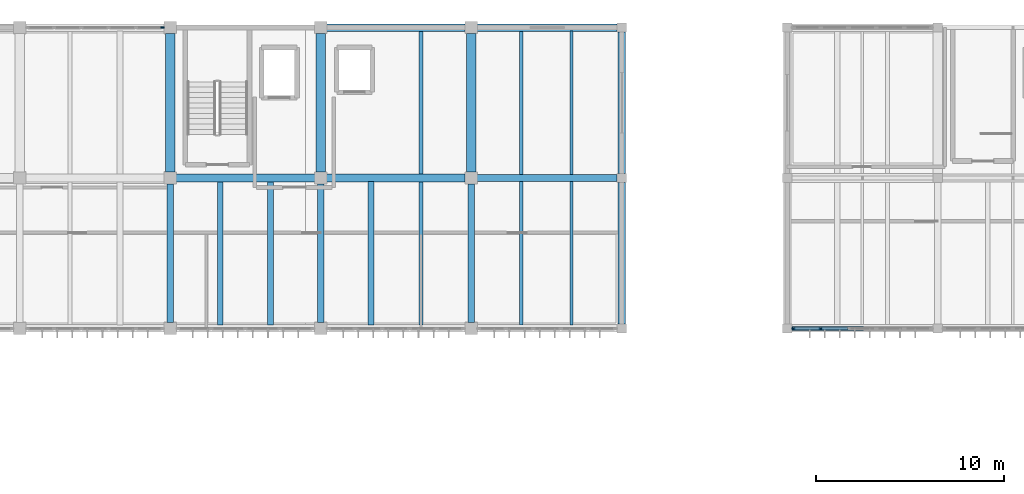
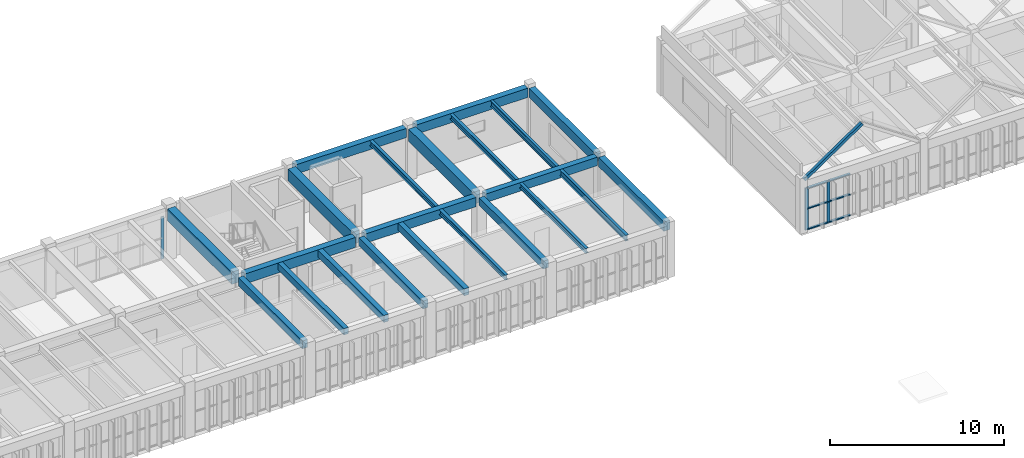
# One storey, part 9 of 31: 22 beams, 10 members, 2 elements without a shape of their own.
"""IFC4 building model written with IfcOpenShell, lengths in metres."""

import ifcopenshell
import ifcopenshell.guid

model = None  # the IFC model being written
_history = None  # IfcOwnerHistory: only IFC2X3 demands one
_inside = {}  # id of a spatial element -> (the spatial element, [elements in it])
_under = {}  # id of a project, library or spatial element -> (it, [spatial elements below it])
_declared = {}  # id of a project -> (the project, [libraries it declares])
_typed = {}  # id of a type object -> (the type object, [elements of that type])
_made_of = {}  # id of a material, layer set ... -> (it, [elements and type objects made of it])


def new_model(schema):
    """Start an empty IFC model of exactly this schema.

    Asked for "IFC4X3", IfcOpenShell would pick the latest addendum, in which some entities
    have other attributes; the version numbers below select the first issue.
    IFC2X3 requires an IfcOwnerHistory on every rooted entity: one is made here for all.
    """
    global model, _history
    if schema == "IFC4X3":
        model = ifcopenshell.file(schema_version=(4, 3, 0, 0))
    else:
        model = ifcopenshell.file(schema=schema)
    _inside.clear()
    _under.clear()
    _declared.clear()
    _typed.clear()
    _made_of.clear()
    _history = None
    if model.schema == "IFC2X3":
        org = make("IfcOrganization", Name="unknown")
        user = make(
            "IfcPersonAndOrganization",
            ThePerson=make("IfcPerson", FamilyName="unknown"),
            TheOrganization=org,
        )
        app = make(
            "IfcApplication",
            ApplicationDeveloper=org,
            Version="unknown",
            ApplicationFullName="unknown",
            ApplicationIdentifier="unknown",
        )
        _history = make(
            "IfcOwnerHistory",
            OwningUser=user,
            OwningApplication=app,
            ChangeAction="ADDED",
            CreationDate=0,
        )
    return model


def make(cls, **values):
    """One entity of the class cls with the attributes given. An attribute that is None is left unset."""
    return model.create_entity(
        cls, **{name: value for name, value in values.items() if value is not None}
    )


def rooted(cls, **values):
    """An entity with a GlobalId (a new one), such as an element, a storey or a relation."""
    return make(cls, GlobalId=ifcopenshell.guid.new(), OwnerHistory=_history, **values)


def si_unit(unit_type, name, prefix=None):
    """IfcSIUnit, for example si_unit("LENGTHUNIT", "METRE", prefix="MILLI")."""
    return make("IfcSIUnit", UnitType=unit_type, Prefix=prefix, Name=name)


def assignment(units):
    """IfcUnitAssignment: the units of a project."""
    return None if units is None else make("IfcUnitAssignment", Units=units)


def point(xyz):
    """IfcCartesianPoint."""
    return None if xyz is None else make("IfcCartesianPoint", Coordinates=xyz)


def direction(xyz):
    """IfcDirection."""
    return None if xyz is None else make("IfcDirection", DirectionRatios=xyz)


def frame(location, z_axis=None, x_axis=None):
    """IfcAxis2Placement3D, a coordinate frame: its origin and axes. An axis left out is left unset."""
    return make(
        "IfcAxis2Placement3D",
        Location=point(location),
        Axis=direction(z_axis),
        RefDirection=direction(x_axis),
    )


def frame_2d(location, x_axis=None):
    """IfcAxis2Placement2D, a coordinate frame in the plane: its origin and x axis."""
    return make(
        "IfcAxis2Placement2D", Location=point(location), RefDirection=direction(x_axis)
    )


def origin():
    """The frame at (0, 0, 0) with its axes left unset."""
    return frame((0.0, 0.0, 0.0))


def origin_2d():
    """The frame at (0, 0) in the plane with its x axis left unset."""
    return frame_2d((0.0, 0.0))


def place(relative_to, where):
    """IfcLocalPlacement: puts the frame where relative to a parent placement (None: the world)."""
    return make(
        "IfcLocalPlacement", PlacementRelTo=relative_to, RelativePlacement=where
    )


def context(
    kind, dimensions, precision=None, world=None, true_north=None, identifier=None
):
    """IfcGeometricRepresentationContext, for example the 3D "Model" context."""
    return make(
        "IfcGeometricRepresentationContext",
        ContextIdentifier=identifier,
        ContextType=kind,
        CoordinateSpaceDimension=dimensions,
        Precision=precision,
        WorldCoordinateSystem=world,
        TrueNorth=true_north,
    )


def subcontext(parent, identifier, kind, view, scale=None):
    """IfcGeometricRepresentationSubContext, for example "Body" below "Model"."""
    return make(
        "IfcGeometricRepresentationSubContext",
        ContextIdentifier=identifier,
        ContextType=kind,
        ParentContext=parent,
        TargetScale=scale,
        TargetView=view,
    )


def project(units=None, contexts=None):
    """IfcProject with its units and contexts."""
    return rooted(
        "IfcProject",
        Name="project",
        RepresentationContexts=contexts,
        UnitsInContext=assignment(units),
    )


def spatial(cls, under=None, at=None, **own):
    """A site, building, storey or space (cls), placed at a placement, below another one or the project."""
    s = rooted(cls, ObjectPlacement=at, **own)
    if under is not None:
        _under.setdefault(under.id(), (under, []))[1].append(s)
    return s


def profile(cls, at=None, kind="AREA", **sizes):
    """A parametric profile (cls). Its sizes go by their IFC names, for example OverallWidth=200.0."""
    return make(cls, ProfileType=kind, Position=at, **sizes)


def rectangle(**sizes):
    """IfcRectangleProfileDef."""
    return profile("IfcRectangleProfileDef", **sizes)


def hollow_rectangle(**sizes):
    """IfcRectangleHollowProfileDef."""
    return profile("IfcRectangleHollowProfileDef", **sizes)


def i_section(**sizes):
    """IfcIShapeProfileDef."""
    return profile("IfcIShapeProfileDef", **sizes)


def extrude(swept, where, along, depth):
    """IfcExtrudedAreaSolid: the profile swept, set in the frame where, extruded along a direction by depth."""
    return make(
        "IfcExtrudedAreaSolid",
        SweptArea=swept,
        Position=where,
        ExtrudedDirection=direction(along),
        Depth=depth,
    )


def shape(context_of_items, identifier, shape_type, items):
    """IfcShapeRepresentation: the items that make up one representation, for example the "Body"."""
    return make(
        "IfcShapeRepresentation",
        ContextOfItems=context_of_items,
        RepresentationIdentifier=identifier,
        RepresentationType=shape_type,
        Items=items,
    )


def material(Name=None, Category=None):
    """IfcMaterial."""
    return make("IfcMaterial", Name=Name, Category=Category)


def material_profile(
    of_material, cross_section, Name=None, Category=None, Priority=None
):
    """IfcMaterialProfile: a cross section and its material."""
    return make(
        "IfcMaterialProfile",
        Name=Name,
        Material=of_material,
        Profile=cross_section,
        Priority=Priority,
        Category=Category,
    )


def profile_set(profiles, Name=None, composite=None):
    """IfcMaterialProfileSet."""
    return make(
        "IfcMaterialProfileSet",
        Name=Name,
        MaterialProfiles=profiles,
        CompositeProfile=composite,
    )


def made_of(thing, what):
    """Note that an element or type object is made of a material, layer set ...; save() writes the relation."""
    if what is not None:
        _made_of.setdefault(what.id(), (what, []))[1].append(thing)
    return thing


def type_object(cls, material=None, **own):
    """A type object (cls), such as IfcWallType, which elements share."""
    return made_of(rooted(cls, **own), material)


def element(
    cls,
    number,
    at=None,
    inside=None,
    cuts=None,
    type_object=None,
    material=None,
    context=None,
    identifier="Body",
    shape_type=None,
    held_by="IfcProductDefinitionShape",
    body=None,
    shapes=None,
    **own,
):
    """One element of the class cls, such as IfcWall. Its Tag is "e" and its number.

    at: its placement. inside: the storey or other place that contains it. cuts: it is an
    opening in that element (IfcRelVoidsElement). A single representation is given by context,
    identifier, shape_type and body (its items); several are given by shapes. held_by: the class
    of the entity that holds the representations. save() writes the other relations.
    """
    e = rooted(cls, Tag="e%d" % number, ObjectPlacement=at, **own)
    if body is not None:
        shapes = [shape(context, identifier, shape_type, body)]
    if shapes is not None:
        e.Representation = make(held_by, Representations=shapes)
    if inside is not None:
        _inside.setdefault(inside.id(), (inside, []))[1].append(e)
    if cuts is not None:
        rooted(
            "IfcRelVoidsElement", RelatingBuildingElement=cuts, RelatedOpeningElement=e
        )
    if type_object is not None:
        _typed.setdefault(type_object.id(), (type_object, []))[1].append(e)
    return made_of(e, material)


def aggregate(whole, parts):
    """IfcRelAggregates: a whole, such as a stair, and the parts it consists of."""
    return rooted("IfcRelAggregates", RelatingObject=whole, RelatedObjects=parts)


def save(model, path):
    """Write the relations noted so far, then the file.

    IfcRelAggregates (storeys below a building ...), IfcRelContainedInSpatialStructure (elements
    in a storey), IfcRelDefinesByType, IfcRelAssociatesMaterial and IfcRelDeclares: one each for
    every whole, place, type object, material and project.
    """
    for whole, parts in _under.values():
        aggregate(whole, parts)
    for where, things in _inside.values():
        rooted(
            "IfcRelContainedInSpatialStructure",
            RelatedElements=things,
            RelatingStructure=where,
        )
    for kind, things in _typed.values():
        rooted("IfcRelDefinesByType", RelatedObjects=things, RelatingType=kind)
    for what, things in _made_of.values():
        rooted("IfcRelAssociatesMaterial", RelatedObjects=things, RelatingMaterial=what)
    for by, libraries in _declared.values():
        rooted("IfcRelDeclares", RelatingContext=by, RelatedDefinitions=libraries)
    model.write(path)


model = new_model("IFC4")

# Units and contexts
model_context = context("Model", 3, precision=1e-05, world=origin(), true_north=direction((0.0, 1.0)))
body_context = subcontext(model_context, "Body", "Model", "MODEL_VIEW")
ifc_project = project(units=[si_unit("LENGTHUNIT", "METRE"), si_unit("AREAUNIT", "SQUARE_METRE"), si_unit("VOLUMEUNIT", "CUBIC_METRE"), si_unit("PLANEANGLEUNIT", "RADIAN"), si_unit("MASSUNIT", "GRAM", prefix="KILO")], contexts=[model_context])

# Site, building, storey
site_placement = place(None, origin())
site = spatial("IfcSite", under=ifc_project, at=site_placement, CompositionType="ELEMENT")
building_placement = place(site_placement, origin())
building = spatial("IfcBuilding", under=site, at=building_placement, Name="Tlaxcora Railside Police Headquarters", CompositionType="ELEMENT")
storey_placement = place(building_placement, frame((0.0, 0.0, 18.0)))
storey = spatial("IfcBuildingStorey", under=building, at=storey_placement, Name="L04", CompositionType="ELEMENT", Elevation=18.0)

# Curtain wall, member
ifc_material_1 = material(Name="Thermally broken low-E insulated glazing", Category="glass")
curtain_wall_type = type_object("IfcCurtainWallType", Name="Unitised Curtain Wall Assembly CW-15", PredefinedType="NOTDEFINED", material=ifc_material_1)
curtain_wall_1_placement = place(storey_placement, origin())
curtain_wall_1 = element("IfcCurtainWall", 1, at=curtain_wall_1_placement, inside=storey, type_object=curtain_wall_type, Name="V5 L04 curtain wall 98", PredefinedType="NOTDEFINED")
ifc_material_2 = material(Name="Anodised aluminium framing", Category="aluminium")
ifc_material_profile_1 = material_profile(ifc_material_2, rectangle(XDim=0.074951171875, YDim=0.199951171875, at=origin_2d()), Name="AL75X200")
ifc_profile_set_1 = profile_set([ifc_material_profile_1], Name="Anodised aluminium framing")
member_type_1 = type_object("IfcMemberType", Name="Curtain Wall Mullion CW-58", PredefinedType="MULLION", material=ifc_profile_set_1)
member_1_placement = place(storey_placement, frame((69.58740234375, 92.800048828125, 0.0), z_axis=(0.0, 0.0, 1.0), x_axis=(0.0, -1.0, 0.0)))
member_1 = element("IfcMember", 2, at=member_1_placement, type_object=member_type_1, Name="CW mullion 1", PredefinedType="MULLION", context=body_context, shape_type="SweptSolid", body=[
    extrude(rectangle(XDim=0.074951171875, YDim=0.199951171875, at=origin_2d()), origin(), (0.0, 0.0, 1.0), 2.969970703125),
])
aggregate(curtain_wall_1, [member_1])

# Curtain wall, members
curtain_wall_2_placement = place(storey_placement, origin())
curtain_wall_2 = element("IfcCurtainWall", 3, at=curtain_wall_2_placement, inside=storey, type_object=curtain_wall_type, Name="V6 L04 curtain wall 170", PredefinedType="NOTDEFINED")
member_2_placement = place(storey_placement, frame((103.137451171875, 76.800048828125, 0.0), z_axis=(0.0, 0.0, 1.0), x_axis=(0.0, 1.0, 0.0)))
member_2 = element("IfcMember", 4, at=member_2_placement, type_object=member_type_1, Name="CW mullion 1", PredefinedType="MULLION", context=body_context, shape_type="SweptSolid", body=[
    extrude(rectangle(XDim=0.074951171875, YDim=0.199951171875, at=origin_2d()), origin(), (0.0, 0.0, 1.0), 2.9599609375),
])
member_3_placement = place(storey_placement, frame((104.580078125, 76.800048828125, 0.0), z_axis=(0.0, 0.0, 1.0), x_axis=(0.0, 1.0, 0.0)))
member_3 = element("IfcMember", 5, at=member_3_placement, type_object=member_type_1, Name="CW mullion 2", PredefinedType="MULLION", context=body_context, shape_type="SweptSolid", body=[
    extrude(rectangle(XDim=0.074951171875, YDim=0.199951171875, at=origin_2d()), origin(), (0.0, 0.0, 1.0), 2.9599609375),
])
ifc_material_profile_2 = material_profile(ifc_material_2, rectangle(XDim=0.14990234375, YDim=0.074951171875, at=origin_2d()), Name="AL75X150")
ifc_profile_set_2 = profile_set([ifc_material_profile_2], Name="Anodised aluminium framing")
member_type_2 = type_object("IfcMemberType", Name="Curtain Wall Transom CW-28", PredefinedType="USERDEFINED", material=ifc_profile_set_2)
member_4_placement = place(storey_placement, frame((103.175048828125, 76.800048828125, 0.03759765625), z_axis=(1.0, 0.0, 0.0), x_axis=(0.0, 1.0, 0.0)))
member_4 = element("IfcMember", 6, at=member_4_placement, type_object=member_type_2, Name="CW transom 1.1", ObjectType="TRANSOM", PredefinedType="USERDEFINED", context=body_context, shape_type="SweptSolid", body=[
    extrude(rectangle(XDim=0.14990234375, YDim=0.074951171875, at=origin_2d()), origin(), (0.0, 0.0, 1.0), 1.367431640625),
])
member_5_placement = place(storey_placement, frame((103.175048828125, 76.800048828125, 1.489990234375), z_axis=(1.0, 0.0, 0.0), x_axis=(0.0, 1.0, 0.0)))
member_5 = element("IfcMember", 7, at=member_5_placement, type_object=member_type_2, Name="CW transom 1.2", ObjectType="TRANSOM", PredefinedType="USERDEFINED", context=body_context, shape_type="SweptSolid", body=[
    extrude(rectangle(XDim=0.14990234375, YDim=0.074951171875, at=origin_2d()), origin(), (0.0, 0.0, 1.0), 1.367431640625),
])
member_6_placement = place(storey_placement, frame((103.175048828125, 76.800048828125, 2.922607421875), z_axis=(1.0, 0.0, 0.0), x_axis=(0.0, 1.0, 0.0)))
member_6 = element("IfcMember", 8, at=member_6_placement, type_object=member_type_2, Name="CW transom 1.3", ObjectType="TRANSOM", PredefinedType="USERDEFINED", context=body_context, shape_type="SweptSolid", body=[
    extrude(rectangle(XDim=0.14990234375, YDim=0.074951171875, at=origin_2d()), origin(), (0.0, 0.0, 1.0), 1.367431640625),
])
member_7_placement = place(storey_placement, frame((104.617431640625, 76.800048828125, 0.03759765625), z_axis=(1.0, 0.0, 0.0), x_axis=(0.0, 1.0, 0.0)))
member_7 = element("IfcMember", 9, at=member_7_placement, type_object=member_type_2, Name="CW transom 2.1", ObjectType="TRANSOM", PredefinedType="USERDEFINED", context=body_context, shape_type="SweptSolid", body=[
    extrude(rectangle(XDim=0.14990234375, YDim=0.074951171875, at=origin_2d()), origin(), (0.0, 0.0, 1.0), 1.405029296875),
])
member_8_placement = place(storey_placement, frame((104.617431640625, 76.800048828125, 1.489990234375), z_axis=(1.0, 0.0, 0.0), x_axis=(0.0, 1.0, 0.0)))
member_8 = element("IfcMember", 10, at=member_8_placement, type_object=member_type_2, Name="CW transom 2.2", ObjectType="TRANSOM", PredefinedType="USERDEFINED", context=body_context, shape_type="SweptSolid", body=[
    extrude(rectangle(XDim=0.14990234375, YDim=0.074951171875, at=origin_2d()), origin(), (0.0, 0.0, 1.0), 1.405029296875),
])
member_9_placement = place(storey_placement, frame((104.617431640625, 76.800048828125, 2.922607421875), z_axis=(1.0, 0.0, 0.0), x_axis=(0.0, 1.0, 0.0)))
member_9 = element("IfcMember", 11, at=member_9_placement, type_object=member_type_2, Name="CW transom 2.3", ObjectType="TRANSOM", PredefinedType="USERDEFINED", context=body_context, shape_type="SweptSolid", body=[
    extrude(rectangle(XDim=0.14990234375, YDim=0.074951171875, at=origin_2d()), origin(), (0.0, 0.0, 1.0), 1.405029296875),
])
aggregate(curtain_wall_2, [member_2, member_3, member_4, member_5, member_6, member_7, member_8, member_9])

# Member
ifc_material_3 = material(Name="Steel ASTM A992 Grade 50", Category="steel")
ifc_material_profile_3 = material_profile(ifc_material_3, hollow_rectangle(XDim=0.199951171875, YDim=0.199951171875, WallThickness=0.010009765625, at=origin_2d()), Name="HSS200X200X10")
ifc_profile_set_3 = profile_set([ifc_material_profile_3], Name="Steel ASTM A992 Grade 50")
member_type_3 = type_object("IfcMemberType", Name="Diagonal Brace Member MB-51", PredefinedType="BRACE", material=ifc_profile_set_3)
member_10_placement = place(storey_placement, frame((102.949951171875, 76.800048828125, 3.580078125), z_axis=(0.826746068504, 0.0, 0.562575273375), x_axis=(0.0, 1.0, 0.0)))
element("IfcMember", 12, at=member_10_placement, inside=storey, type_object=member_type_3, Name="V6 rafter 1W", PredefinedType="BRACE", context=body_context, shape_type="SweptSolid", body=[
    extrude(hollow_rectangle(XDim=0.199951171875, YDim=0.199951171875, WallThickness=0.010009765625, at=origin_2d()), origin(), (0.0, 0.0, 1.0), 4.656982421875),
])

# Beams
ifc_material_4 = material(Name="Concrete C40/50", Category="concrete")
ifc_material_profile_4 = material_profile(ifc_material_4, rectangle(XDim=0.39990234375, YDim=0.64990234375, at=origin_2d()), Name="RC400X650")
ifc_profile_set_4 = profile_set([ifc_material_profile_4], Name="Concrete C40/50")
beam_type_1 = type_object("IfcBeamType", Name="Perimeter Spandrel Beam BM-46", PredefinedType="SPANDREL", material=ifc_profile_set_4)
beam_1_placement = place(storey_placement, frame((78.31494140625, 92.800048828125, 3.31494140625), z_axis=(1.0, 0.0, 0.0), x_axis=(0.0, 1.0, 0.0)))
element("IfcBeam", 13, at=beam_1_placement, inside=storey, type_object=beam_type_1, Name="V5 L04 X-girder Y=92.8", PredefinedType="SPANDREL", context=body_context, shape_type="SweptSolid", body=[
    extrude(rectangle(XDim=0.39990234375, YDim=0.64990234375, at=origin_2d()), origin(), (0.0, 0.0, 1.0), 7.3701171875),
])
beam_2_placement = place(storey_placement, frame((86.31494140625, 92.800048828125, 3.31494140625), z_axis=(1.0, 0.0, 0.0), x_axis=(0.0, 1.0, 0.0)))
element("IfcBeam", 14, at=beam_2_placement, inside=storey, type_object=beam_type_1, Name="V5 L04 X-girder Y=92.8", PredefinedType="SPANDREL", context=body_context, shape_type="SweptSolid", body=[
    extrude(rectangle(XDim=0.39990234375, YDim=0.64990234375, at=origin_2d()), origin(), (0.0, 0.0, 1.0), 7.445068359375),
])
for number, where, z_axis, x_axis, name in (
    (15, (94.0, 77.0400390625, 3.31494140625), (0.0, 1.0, 0.0), (-1.0, 0.0, 0.0), "V5 L04 Y-girder X=94.0"),
    (16, (94.0, 85.0400390625, 3.31494140625), (0.0, 1.0, 0.0), (-1.0, 0.0, 0.0), "V5 L04 Y-girder X=94.0"),
):
    element("IfcBeam", number, at=place(storey_placement, frame(where, z_axis=z_axis, x_axis=x_axis)), inside=storey, type_object=beam_type_1, Name=name, PredefinedType="SPANDREL", context=body_context, shape_type="SweptSolid", body=[
        extrude(rectangle(XDim=0.39990234375, YDim=0.64990234375, at=origin_2d()), origin(), (0.0, 0.0, 1.0), 7.52001953125),
    ])
ifc_material_profile_5 = material_profile(ifc_material_4, rectangle(XDim=0.3798828125, YDim=0.60009765625, at=origin_2d()), Name="RC380X600")
ifc_profile_set_5 = profile_set([ifc_material_profile_5], Name="Concrete C40/50")
beam_type_2 = type_object("IfcBeamType", Name="Primary Frame Girder BM-22", PredefinedType="BEAM", material=ifc_profile_set_5)
beam_3_placement = place(storey_placement, frame((86.31494140625, 84.800048828125, 3.340087890625), z_axis=(1.0, 0.0, 0.0), x_axis=(0.0, 1.0, 0.0)))
element("IfcBeam", 17, at=beam_3_placement, inside=storey, type_object=beam_type_2, Name="V5 L04 X-girder Y=84.8", PredefinedType="BEAM", context=body_context, shape_type="SweptSolid", body=[
    extrude(rectangle(XDim=0.3798828125, YDim=0.60009765625, at=origin_2d()), origin(), (0.0, 0.0, 1.0), 7.445068359375),
])
ifc_material_profile_6 = material_profile(ifc_material_4, rectangle(XDim=0.419921875, YDim=0.699951171875, at=origin_2d()), Name="RC420X700")
ifc_profile_set_6 = profile_set([ifc_material_profile_6], Name="Concrete C40/50")
beam_type_3 = type_object("IfcBeamType", Name="Primary Frame Girder BM-35", PredefinedType="BEAM", material=ifc_profile_set_6)
beam_4_placement = place(storey_placement, frame((70.31494140625, 84.800048828125, 3.2900390625), z_axis=(1.0, 0.0, 0.0), x_axis=(0.0, 1.0, 0.0)))
element("IfcBeam", 18, at=beam_4_placement, inside=storey, type_object=beam_type_3, Name="V5 L04 X-girder Y=84.8", PredefinedType="BEAM", context=body_context, shape_type="SweptSolid", body=[
    extrude(rectangle(XDim=0.419921875, YDim=0.699951171875, at=origin_2d()), origin(), (0.0, 0.0, 1.0), 7.3701171875),
])
ifc_material_profile_7 = material_profile(ifc_material_4, rectangle(XDim=0.35009765625, YDim=0.550048828125, at=origin_2d()), Name="RC350X550")
ifc_profile_set_7 = profile_set([ifc_material_profile_7], Name="Concrete C40/50")
beam_type_4 = type_object("IfcBeamType", Name="Primary Frame Girder BM-39", PredefinedType="BEAM", material=ifc_profile_set_7)
for number, where, z_axis, x_axis, name in (
    (19, (70.0, 77.114990234375, 3.364990234375), (0.0, 1.0, 0.0), (-1.0, 0.0, 0.0), "V5 L04 Y-girder X=70.0"),
    (20, (78.0, 77.114990234375, 3.364990234375), (0.0, 1.0, 0.0), (-1.0, 0.0, 0.0), "V5 L04 Y-girder X=78.0"),
    (21, (86.0, 77.114990234375, 3.364990234375), (0.0, 1.0, 0.0), (-1.0, 0.0, 0.0), "V5 L04 Y-girder X=86.0"),
):
    element("IfcBeam", number, at=place(storey_placement, frame(where, z_axis=z_axis, x_axis=x_axis)), inside=storey, type_object=beam_type_4, Name=name, PredefinedType="BEAM", context=body_context, shape_type="SweptSolid", body=[
        extrude(rectangle(XDim=0.35009765625, YDim=0.550048828125, at=origin_2d()), origin(), (0.0, 0.0, 1.0), 7.3701171875),
    ])
ifc_material_profile_8 = material_profile(ifc_material_4, rectangle(XDim=0.39990234375, YDim=0.64990234375, at=origin_2d()), Name="RC400X650")
ifc_profile_set_8 = profile_set([ifc_material_profile_8], Name="Concrete C40/50")
beam_type_5 = type_object("IfcBeamType", Name="Primary Frame Girder BM-41", PredefinedType="BEAM", material=ifc_profile_set_8)
beam_5_placement = place(storey_placement, frame((78.31494140625, 84.800048828125, 3.31494140625), z_axis=(1.0, 0.0, 0.0), x_axis=(0.0, 1.0, 0.0)))
element("IfcBeam", 22, at=beam_5_placement, inside=storey, type_object=beam_type_5, Name="V5 L04 X-girder Y=84.8", PredefinedType="BEAM", context=body_context, shape_type="SweptSolid", body=[
    extrude(rectangle(XDim=0.39990234375, YDim=0.64990234375, at=origin_2d()), origin(), (0.0, 0.0, 1.0), 7.3701171875),
])
ifc_material_profile_9 = material_profile(ifc_material_4, rectangle(XDim=0.5, YDim=0.85009765625, at=origin_2d()), Name="RC500X850")
ifc_profile_set_9 = profile_set([ifc_material_profile_9], Name="Concrete C40/50")
beam_type_6 = type_object("IfcBeamType", Name="Primary Frame Girder BM-64", PredefinedType="BEAM", material=ifc_profile_set_9)
for number, where, z_axis, x_axis, name in (
    (23, (70.0, 85.114990234375, 3.215087890625), (0.0, 1.0, 0.0), (-1.0, 0.0, 0.0), "V5 L04 Y-girder X=70.0"),
    (24, (78.0, 85.114990234375, 3.215087890625), (0.0, 1.0, 0.0), (-1.0, 0.0, 0.0), "V5 L04 Y-girder X=78.0"),
    (25, (86.0, 85.114990234375, 3.215087890625), (0.0, 1.0, 0.0), (-1.0, 0.0, 0.0), "V5 L04 Y-girder X=86.0"),
):
    element("IfcBeam", number, at=place(storey_placement, frame(where, z_axis=z_axis, x_axis=x_axis)), inside=storey, type_object=beam_type_6, Name=name, PredefinedType="BEAM", context=body_context, shape_type="SweptSolid", body=[
        extrude(rectangle(XDim=0.5, YDim=0.85009765625, at=origin_2d()), origin(), (0.0, 0.0, 1.0), 7.3701171875),
    ])
ifc_material_5 = material(Name="Concrete C35/45", Category="concrete")
ifc_material_profile_10 = material_profile(ifc_material_5, rectangle(XDim=0.300048828125, YDim=0.449951171875, at=origin_2d()), Name="RC300X450")
ifc_profile_set_10 = profile_set([ifc_material_profile_10], Name="Concrete C35/45")
beam_type_7 = type_object("IfcBeamType", Name="Secondary Floor Joist BM-27", PredefinedType="JOIST", material=ifc_profile_set_10)
beam_6_placement = place(storey_placement, frame((72.666748046875, 76.991943359375, 3.4150390625), z_axis=(0.0, 1.0, 0.0), x_axis=(-1.0, 0.0, 0.0)))
element("IfcBeam", 26, at=beam_6_placement, inside=storey, type_object=beam_type_7, Name="V5 L04 floor joist X=72.67", PredefinedType="JOIST", context=body_context, shape_type="SweptSolid", body=[
    extrude(rectangle(XDim=0.300048828125, YDim=0.449951171875, at=origin_2d()), origin(), (0.0, 0.0, 1.0), 7.60595703125),
])
ifc_material_profile_11 = material_profile(ifc_material_3, i_section(OverallWidth=0.2041015625, OverallDepth=0.35009765625, WebThickness=0.008544921875, FlangeThickness=0.01513671875, at=origin_2d()), Name="W14X48")
ifc_profile_set_11 = profile_set([ifc_material_profile_11], Name="Steel ASTM A992 Grade 50")
beam_type_8 = type_object("IfcBeamType", Name="Secondary Floor Joist BM-65", PredefinedType="JOIST", material=ifc_profile_set_11)
beam_7_placement = place(storey_placement, frame((83.333251953125, 76.991943359375, 3.465087890625), z_axis=(0.0, 1.0, 0.0), x_axis=(-1.0, 0.0, 0.0)))
element("IfcBeam", 27, at=beam_7_placement, inside=storey, type_object=beam_type_8, Name="V5 L04 floor joist X=83.33", PredefinedType="JOIST", context=body_context, shape_type="SweptSolid", body=[
    extrude(i_section(OverallWidth=0.2041015625, OverallDepth=0.35009765625, WebThickness=0.008544921875, FlangeThickness=0.01513671875, at=origin_2d()), origin(), (0.0, 0.0, 1.0), 7.615966796875),
])
beam_8_placement = place(storey_placement, frame((88.666748046875, 76.991943359375, 3.465087890625), z_axis=(0.0, 1.0, 0.0), x_axis=(-1.0, 0.0, 0.0)))
element("IfcBeam", 28, at=beam_8_placement, inside=storey, type_object=beam_type_8, Name="V5 L04 floor joist X=88.67", PredefinedType="JOIST", context=body_context, shape_type="SweptSolid", body=[
    extrude(i_section(OverallWidth=0.2041015625, OverallDepth=0.35009765625, WebThickness=0.008544921875, FlangeThickness=0.01513671875, at=origin_2d()), origin(), (0.0, 0.0, 1.0), 7.6259765625),
])
beam_9_placement = place(storey_placement, frame((83.333251953125, 84.991943359375, 3.465087890625), z_axis=(0.0, 1.0, 0.0), x_axis=(-1.0, 0.0, 0.0)))
element("IfcBeam", 29, at=beam_9_placement, inside=storey, type_object=beam_type_8, Name="V5 L04 floor joist X=83.33", PredefinedType="JOIST", context=body_context, shape_type="SweptSolid", body=[
    extrude(i_section(OverallWidth=0.2041015625, OverallDepth=0.35009765625, WebThickness=0.008544921875, FlangeThickness=0.01513671875, at=origin_2d()), origin(), (0.0, 0.0, 1.0), 7.615966796875),
])
beam_10_placement = place(storey_placement, frame((88.666748046875, 84.98193359375, 3.465087890625), z_axis=(0.0, 1.0, 0.0), x_axis=(-1.0, 0.0, 0.0)))
element("IfcBeam", 30, at=beam_10_placement, inside=storey, type_object=beam_type_8, Name="V5 L04 floor joist X=88.67", PredefinedType="JOIST", context=body_context, shape_type="SweptSolid", body=[
    extrude(i_section(OverallWidth=0.2041015625, OverallDepth=0.35009765625, WebThickness=0.008544921875, FlangeThickness=0.01513671875, at=origin_2d()), origin(), (0.0, 0.0, 1.0), 7.6259765625),
])
ifc_material_profile_12 = material_profile(ifc_material_3, i_section(OverallWidth=0.180908203125, OverallDepth=0.4169921875, WebThickness=0.010009765625, FlangeThickness=0.018310546875, at=origin_2d()), Name="W16X57")
ifc_profile_set_12 = profile_set([ifc_material_profile_12], Name="Steel ASTM A992 Grade 50")
beam_type_9 = type_object("IfcBeamType", Name="Secondary Floor Joist BM-84", PredefinedType="JOIST", material=ifc_profile_set_12)
for number, where, z_axis, x_axis, name in (
    (31, (91.333251953125, 76.991943359375, 3.431396484375), (0.0, 1.0, 0.0), (-1.0, 0.0, 0.0), "V5 L04 floor joist X=91.33"),
    (32, (91.333251953125, 84.98193359375, 3.431396484375), (0.0, 1.0, 0.0), (-1.0, 0.0, 0.0), "V5 L04 floor joist X=91.33"),
):
    element("IfcBeam", number, at=place(storey_placement, frame(where, z_axis=z_axis, x_axis=x_axis)), inside=storey, type_object=beam_type_9, Name=name, PredefinedType="JOIST", context=body_context, shape_type="SweptSolid", body=[
        extrude(i_section(OverallWidth=0.180908203125, OverallDepth=0.4169921875, WebThickness=0.010009765625, FlangeThickness=0.018310546875, at=origin_2d()), origin(), (0.0, 0.0, 1.0), 7.6259765625),
    ])
ifc_material_profile_13 = material_profile(ifc_material_5, rectangle(XDim=0.320068359375, YDim=0.5, at=origin_2d()), Name="RC320X500")
ifc_profile_set_13 = profile_set([ifc_material_profile_13], Name="Concrete C35/45")
beam_type_10 = type_object("IfcBeamType", Name="Secondary Floor Joist BM-88", PredefinedType="JOIST", material=ifc_profile_set_13)
beam_11_placement = place(storey_placement, frame((75.333251953125, 76.991943359375, 3.389892578125), z_axis=(0.0, 1.0, 0.0), x_axis=(-1.0, 0.0, 0.0)))
element("IfcBeam", 33, at=beam_11_placement, inside=storey, type_object=beam_type_10, Name="V5 L04 floor joist X=75.33", PredefinedType="JOIST", context=body_context, shape_type="SweptSolid", body=[
    extrude(rectangle(XDim=0.320068359375, YDim=0.5, at=origin_2d()), origin(), (0.0, 0.0, 1.0), 7.60595703125),
])
beam_12_placement = place(storey_placement, frame((80.666748046875, 76.991943359375, 3.389892578125), z_axis=(0.0, 1.0, 0.0), x_axis=(-1.0, 0.0, 0.0)))
element("IfcBeam", 34, at=beam_12_placement, inside=storey, type_object=beam_type_10, Name="V5 L04 floor joist X=80.67", PredefinedType="JOIST", context=body_context, shape_type="SweptSolid", body=[
    extrude(rectangle(XDim=0.320068359375, YDim=0.5, at=origin_2d()), origin(), (0.0, 0.0, 1.0), 7.615966796875),
])

save(model, "model.ifc")
